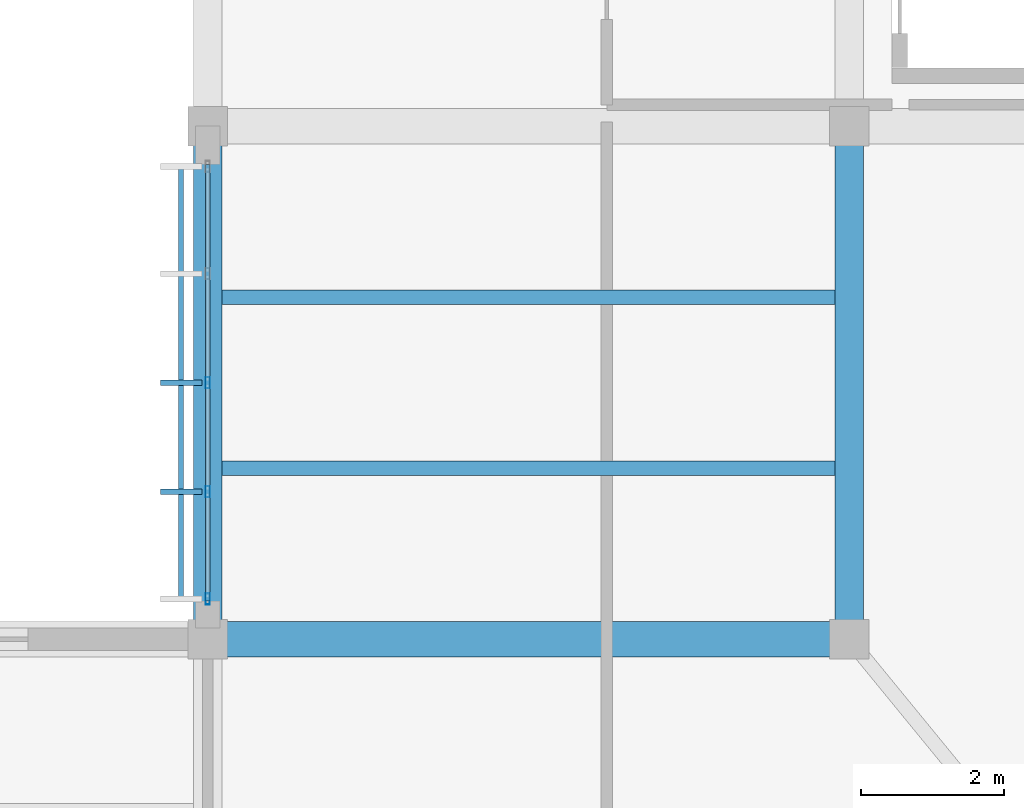
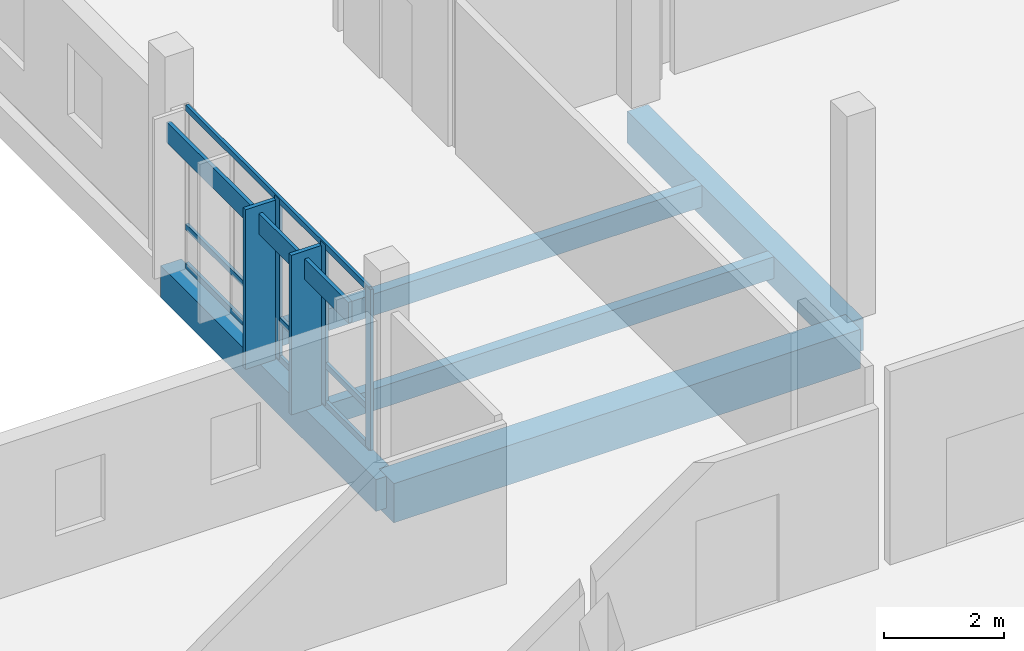
# One storey, part 53 of 94: 9 members, 5 beams, 1 element without a shape of its own.
"""IFC4 building model written with IfcOpenShell, lengths in metres."""

from ifc_helpers import new_model, si_unit, direction, frame, origin, origin_2d, place, context, subcontext, project, spatial, rectangle, hollow_rectangle, extrude, material, material_profile, profile_set, type_object, element, aggregate, save


model = new_model("IFC4")

# Units and contexts
model_context = context("Model", 3, precision=1e-05, world=origin(), true_north=direction((0.0, 1.0)))
body_context = subcontext(model_context, "Body", "Model", "MODEL_VIEW")
ifc_project = project(units=[si_unit("LENGTHUNIT", "METRE"), si_unit("AREAUNIT", "SQUARE_METRE"), si_unit("VOLUMEUNIT", "CUBIC_METRE"), si_unit("PLANEANGLEUNIT", "RADIAN"), si_unit("MASSUNIT", "GRAM", prefix="KILO")], contexts=[model_context])

# Site, building, storey
site_placement = place(None, origin())
site = spatial("IfcSite", under=ifc_project, at=site_placement, CompositionType="ELEMENT")
building_placement = place(site_placement, origin())
building = spatial("IfcBuilding", under=site, at=building_placement, Name="Chiffa Square Polytechnic", CompositionType="ELEMENT")
storey_placement = place(building_placement, frame((0.0, 0.0, 18.0)))
storey = spatial("IfcBuildingStorey", under=building, at=storey_placement, Name="L04", CompositionType="ELEMENT", Elevation=18.0)

# Beams
ifc_material_1 = material(Name="Concrete C35/45", Category="concrete")
ifc_material_profile_1 = material_profile(ifc_material_1, rectangle(XDim=0.39990234375, YDim=0.64990234375, at=origin_2d()), Name="RC 400x650")
ifc_profile_set_1 = profile_set([ifc_material_profile_1], Name="Concrete C35/45")
beam_type_1 = type_object("IfcBeamType", Name="BM-RC-400X650", PredefinedType="BEAM", material=ifc_profile_set_1)
for number, where, z_axis, x_axis, name in (
    (1, (148.199951171875, 28.800048828125, -0.56494140625), (0.0, 1.0, 0.0), (-1.0, 0.0, 0.0), "Primary floor girder BM-V1-L04-Y-1482-0288"),
    (2, (157.199951171875, 28.800048828125, -0.56494140625), (0.0, 1.0, 0.0), (-1.0, 0.0, 0.0), "Primary floor girder BM-V1-L04-Y-1572-0288"),
):
    element("IfcBeam", number, at=place(storey_placement, frame(where, z_axis=z_axis, x_axis=x_axis)), inside=storey, type_object=beam_type_1, Name=name, PredefinedType="BEAM", context=body_context, shape_type="SweptSolid", body=[
        extrude(rectangle(XDim=0.39990234375, YDim=0.64990234375, at=origin_2d()), origin(), (0.0, 0.0, 1.0), 7.199951171875),
    ])
ifc_material_2 = material(Name="Concrete C40/50", Category="concrete")
ifc_material_profile_2 = material_profile(ifc_material_2, rectangle(XDim=0.5, YDim=0.800048828125, at=origin_2d()), Name="RC 500x800")
ifc_profile_set_2 = profile_set([ifc_material_profile_2], Name="Concrete C40/50")
beam_type_2 = type_object("IfcBeamType", Name="BM-RC-500X800", PredefinedType="BEAM", material=ifc_profile_set_2)
beam_placement = place(storey_placement, frame((148.199951171875, 28.800048828125, -0.639892578125), z_axis=(1.0, 0.0, 0.0), x_axis=(0.0, 1.0, 0.0)))
element("IfcBeam", 3, at=beam_placement, inside=storey, type_object=beam_type_2, Name="Primary floor girder BM-V1-L04-X-1482-0288", PredefinedType="BEAM", context=body_context, shape_type="SweptSolid", body=[
    extrude(rectangle(XDim=0.5, YDim=0.800048828125, at=origin_2d()), origin(), (0.0, 0.0, 1.0), 9.0),
])

# Curtain wall, members
ifc_material_3 = material(Name="Aluminium EN AW-6060 T66 and glulam shading", Category="wood")
curtain_wall_type = type_object("IfcCurtainWallType", Name="CW-VERT-600X440", PredefinedType="USERDEFINED", material=ifc_material_3)
curtain_wall_placement = place(storey_placement, origin())
curtain_wall = element("IfcCurtainWall", 4, at=curtain_wall_placement, inside=storey, type_object=curtain_wall_type, Name="Curtain wall CW-V1-L04-137", ObjectType="CURTAIN WALL", PredefinedType="USERDEFINED")
ifc_material_4 = material(Name="Aluminium EN AW-6060 T66", Category="aluminium")
ifc_material_profile_3 = material_profile(ifc_material_4, hollow_rectangle(XDim=0.06005859375, YDim=0.159912109375, WallThickness=0.00390625, at=origin_2d()), Name="ALU 60x160x4")
ifc_profile_set_3 = profile_set([ifc_material_profile_3], Name="Aluminium EN AW-6060 T66")
member_type_1 = type_object("IfcMemberType", Name="CWM-ALU-65X150", PredefinedType="MULLION", material=ifc_profile_set_3)
member_1_placement = place(storey_placement, frame((148.199951171875, 32.39990234375, 0.0), z_axis=(0.0, 0.0, 1.0), x_axis=(1.0, 0.0, 0.0)))
member_1 = element("IfcMember", 5, at=member_1_placement, type_object=member_type_1, Name="Curtain wall mullion CW-V1-L04-137-M02", PredefinedType="MULLION", context=body_context, shape_type="SweptSolid", body=[
    extrude(hollow_rectangle(XDim=0.06005859375, YDim=0.159912109375, WallThickness=0.00390625, at=origin_2d()), origin(), (0.0, 0.0, 1.0), 3.27490234375),
])
member_2_placement = place(storey_placement, frame((148.199951171875, 30.8701171875, 0.0), z_axis=(0.0, 0.0, 1.0), x_axis=(1.0, 0.0, 0.0)))
member_2 = element("IfcMember", 6, at=member_2_placement, type_object=member_type_1, Name="Curtain wall mullion CW-V1-L04-137-M03", PredefinedType="MULLION", context=body_context, shape_type="SweptSolid", body=[
    extrude(hollow_rectangle(XDim=0.06005859375, YDim=0.159912109375, WallThickness=0.00390625, at=origin_2d()), origin(), (0.0, 0.0, 1.0), 3.27490234375),
])
member_3_placement = place(storey_placement, frame((148.199951171875, 29.364990234375, 0.0), z_axis=(0.0, 0.0, 1.0), x_axis=(1.0, 0.0, 0.0)))
member_3 = element("IfcMember", 7, at=member_3_placement, type_object=member_type_1, Name="Curtain wall mullion CW-V1-L04-137-M04", PredefinedType="MULLION", context=body_context, shape_type="SweptSolid", body=[
    extrude(hollow_rectangle(XDim=0.06005859375, YDim=0.159912109375, WallThickness=0.00390625, at=origin_2d()), origin(), (0.0, 0.0, 1.0), 3.27490234375),
])
ifc_material_5 = material(Name="Glulam GL28h", Category="wood")
ifc_material_profile_4 = material_profile(ifc_material_5, rectangle(XDim=0.080078125, YDim=0.580078125, at=origin_2d()), Name="GL28h 80x580")
ifc_profile_set_4 = profile_set([ifc_material_profile_4], Name="Glulam GL28h")
member_type_2 = type_object("IfcMemberType", Name="CWM-GL-80X580", PredefinedType="MULLION", material=ifc_profile_set_4)
member_4_placement = place(storey_placement, frame((147.827880859375, 32.39990234375, 0.010009765625), z_axis=(0.0, 0.0, 1.0), x_axis=(0.0, -1.0, 0.0)))
member_4 = element("IfcMember", 8, at=member_4_placement, type_object=member_type_2, Name="Exterior glulam solar fin CW-V1-L04-137-FN02", PredefinedType="MULLION", context=body_context, shape_type="SweptSolid", body=[
    extrude(rectangle(XDim=0.080078125, YDim=0.580078125, at=origin_2d()), origin(), (0.0, 0.0, 1.0), 3.2548828125),
])
member_5_placement = place(storey_placement, frame((147.827880859375, 30.8701171875, 0.010009765625), z_axis=(0.0, 0.0, 1.0), x_axis=(0.0, -1.0, 0.0)))
member_5 = element("IfcMember", 9, at=member_5_placement, type_object=member_type_2, Name="Exterior glulam solar fin CW-V1-L04-137-FN03", PredefinedType="MULLION", context=body_context, shape_type="SweptSolid", body=[
    extrude(rectangle(XDim=0.080078125, YDim=0.580078125, at=origin_2d()), origin(), (0.0, 0.0, 1.0), 3.2548828125),
])
ifc_material_profile_5 = material_profile(ifc_material_4, hollow_rectangle(XDim=0.06005859375, YDim=0.1201171875, WallThickness=0.00390625, at=origin_2d()), Name="ALU 60x120x4")
ifc_profile_set_5 = profile_set([ifc_material_profile_5], Name="Aluminium EN AW-6060 T66")
member_type_3 = type_object("IfcMemberType", Name="CWT-ALU-65X120", PredefinedType="USERDEFINED", material=ifc_profile_set_5)
member_6_placement = place(storey_placement, frame((148.199951171875, 35.4619140625, 0.030029296875), z_axis=(0.0, -1.0, 0.0), x_axis=(1.0, 0.0, 0.0)))
member_6 = element("IfcMember", 10, at=member_6_placement, type_object=member_type_3, Name="Curtain wall transom CW-V1-L04-137-T01", ObjectType="TRANSOM", PredefinedType="USERDEFINED", context=body_context, shape_type="SweptSolid", body=[
    extrude(hollow_rectangle(XDim=0.06005859375, YDim=0.1201171875, WallThickness=0.00390625, at=origin_2d()), origin(), (0.0, 0.0, 1.0), 6.1240234375),
])
member_7_placement = place(storey_placement, frame((148.199951171875, 35.4619140625, 0.820068359375), z_axis=(0.0, -1.0, 0.0), x_axis=(1.0, 0.0, 0.0)))
member_7 = element("IfcMember", 11, at=member_7_placement, type_object=member_type_3, Name="Curtain wall transom CW-V1-L04-137-T02", ObjectType="TRANSOM", PredefinedType="USERDEFINED", context=body_context, shape_type="SweptSolid", body=[
    extrude(hollow_rectangle(XDim=0.06005859375, YDim=0.1201171875, WallThickness=0.00390625, at=origin_2d()), origin(), (0.0, 0.0, 1.0), 6.1240234375),
])
member_8_placement = place(storey_placement, frame((148.199951171875, 35.4619140625, 3.2451171875), z_axis=(0.0, -1.0, 0.0), x_axis=(1.0, 0.0, 0.0)))
member_8 = element("IfcMember", 12, at=member_8_placement, type_object=member_type_3, Name="Curtain wall transom CW-V1-L04-137-T03", ObjectType="TRANSOM", PredefinedType="USERDEFINED", context=body_context, shape_type="SweptSolid", body=[
    extrude(hollow_rectangle(XDim=0.06005859375, YDim=0.1201171875, WallThickness=0.00390625, at=origin_2d()), origin(), (0.0, 0.0, 1.0), 6.1240234375),
])
ifc_material_profile_6 = material_profile(ifc_material_5, rectangle(XDim=0.070068359375, YDim=0.419921875, at=origin_2d()), Name="GL28h 70x420")
ifc_profile_set_6 = profile_set([ifc_material_profile_6], Name="Glulam GL28h")
member_type_4 = type_object("IfcMemberType", Name="CWT-GL-70X420", PredefinedType="USERDEFINED", material=ifc_profile_set_6)
member_9_placement = place(storey_placement, frame((147.827880859375, 35.43505859375, 2.89501953125), z_axis=(0.0, -1.0, 0.0), x_axis=(1.0, 0.0, 0.0)))
member_9 = element("IfcMember", 13, at=member_9_placement, type_object=member_type_4, Name="Exterior glulam brise-soleil CW-V1-L04-137-BS01", ObjectType="TRANSOM", PredefinedType="USERDEFINED", context=body_context, shape_type="SweptSolid", body=[
    extrude(rectangle(XDim=0.070068359375, YDim=0.419921875, at=origin_2d()), origin(), (0.0, 0.0, 1.0), 6.070068359375),
])
aggregate(curtain_wall, [member_1, member_4, member_2, member_5, member_3, member_6, member_7, member_8, member_9])

# Beams
ifc_material_profile_7 = material_profile(ifc_material_5, rectangle(XDim=0.199951171875, YDim=0.43994140625, at=origin_2d()), Name="GL28h 200x440")
ifc_profile_set_7 = profile_set([ifc_material_profile_7], Name="Glulam GL28h")
beam_type_3 = type_object("IfcBeamType", Name="JST-GL-200X440", PredefinedType="JOIST", material=ifc_profile_set_7)
for number, where, z_axis, x_axis, name in (
    (14, (148.39794921875, 31.199951171875, -0.4599609375), (1.0, 0.0, 0.0), (0.0, 1.0, 0.0), "Secondary floor joist JST-V1-L04-1482-0312"),
    (15, (148.39794921875, 33.60009765625, -0.4599609375), (1.0, 0.0, 0.0), (0.0, 1.0, 0.0), "Secondary floor joist JST-V1-L04-1482-0336"),
):
    element("IfcBeam", number, at=place(storey_placement, frame(where, z_axis=z_axis, x_axis=x_axis)), inside=storey, type_object=beam_type_3, Name=name, PredefinedType="JOIST", context=body_context, shape_type="SweptSolid", body=[
        extrude(rectangle(XDim=0.199951171875, YDim=0.43994140625, at=origin_2d()), origin(), (0.0, 0.0, 1.0), 8.60400390625),
    ])

save(model, "model.ifc")
